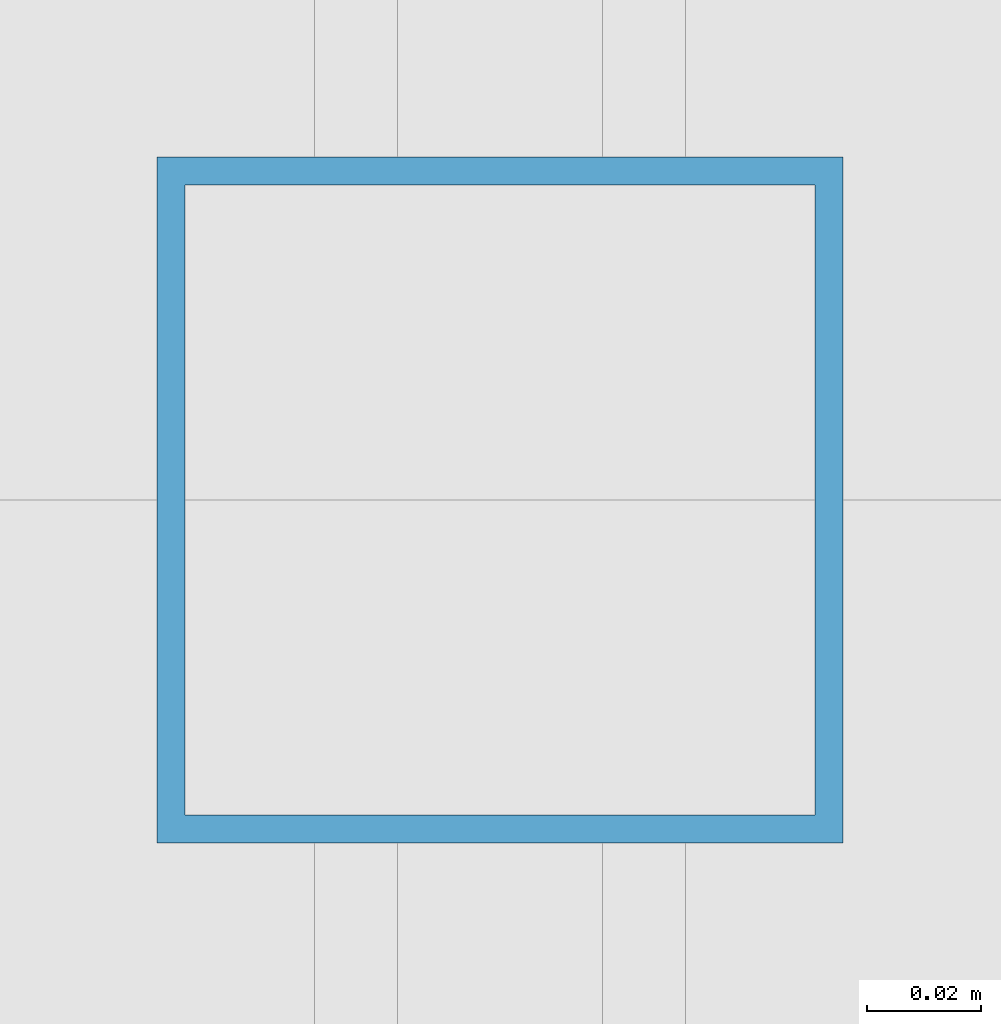
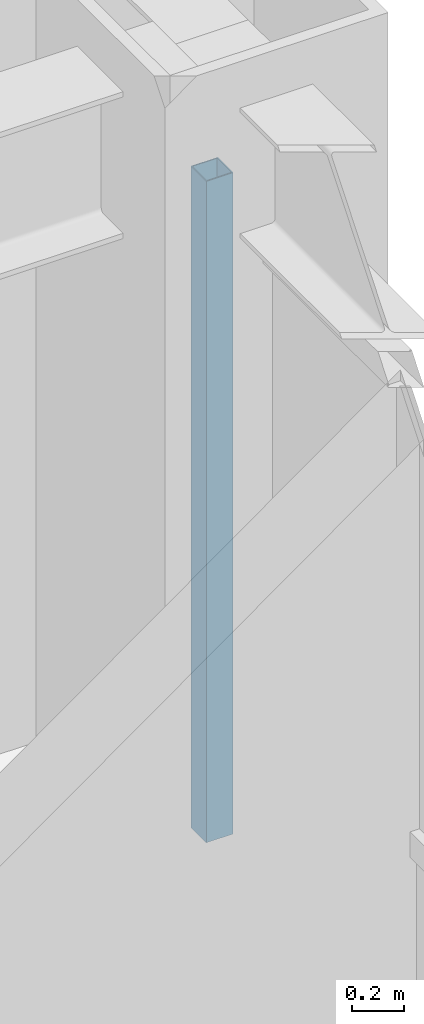
# One storey, part 10 of 29: 1 member, 1 element without a shape of its own.
"""IFC4 building model written with IfcOpenShell, lengths in metres."""

from ifc_helpers import new_model, si_unit, direction, frame, origin, origin_2d, place, context, subcontext, project, spatial, hollow_rectangle, extrude, source, transform, mapped, material, material_profile, profile_set, type_object, element, aggregate, save


model = new_model("IFC4")

# Units and contexts
model_context = context("Model", 3, precision=1e-05, world=origin(), true_north=direction((0.0, 1.0)))
body_context = subcontext(model_context, "Body", "Model", "MODEL_VIEW")
ifc_project = project(units=[si_unit("LENGTHUNIT", "METRE"), si_unit("AREAUNIT", "SQUARE_METRE"), si_unit("VOLUMEUNIT", "CUBIC_METRE"), si_unit("PLANEANGLEUNIT", "RADIAN"), si_unit("MASSUNIT", "GRAM", prefix="KILO")], contexts=[model_context])

# Site, building, storey
site_placement = place(None, origin())
site = spatial("IfcSite", under=ifc_project, at=site_placement, CompositionType="ELEMENT")
building_placement = place(site_placement, origin())
building = spatial("IfcBuilding", under=site, at=building_placement, Name="Khorayat Bourse Tower", CompositionType="ELEMENT")
storey_placement = place(building_placement, frame((0.0, 0.0, 243.10009765625)))
storey = spatial("IfcBuildingStorey", under=building, at=storey_placement, Name="L57", CompositionType="ELEMENT", Elevation=243.10009765625)

# Curtain wall, member
ifc_material = material(Name="Aluminium EN AW-6063 T6", Category="aluminium")
curtain_wall_type = type_object("IfcCurtainWallType", Name="CW-SYS-03", PredefinedType="NOTDEFINED", material=ifc_material)
curtain_wall_placement = place(storey_placement, origin())
curtain_wall = element("IfcCurtainWall", 1, at=curtain_wall_placement, inside=storey, type_object=curtain_wall_type, Name="L57 Curtain Wall CW-L57-E1", PredefinedType="NOTDEFINED")
ifc_material_profile = material_profile(ifc_material, hollow_rectangle(XDim=0.1201171875, YDim=0.1201171875, WallThickness=0.0048828125, at=origin_2d()), Name="ALU 120x120x5")
ifc_profile_set = profile_set([ifc_material_profile], Name="Aluminium EN AW-6063 T6")
member_type = type_object("IfcMemberType", Name="CWM-VERT-120", PredefinedType="MULLION", material=ifc_profile_set)
shared_shape = source(origin(), body_context, "Body", "SweptSolid", [
    extrude(hollow_rectangle(XDim=0.1201171875, YDim=0.1201171875, WallThickness=0.0048828125, at=origin_2d()), origin(), (0.0, 0.0, 1.0), 3.1298828125),
])
member_placement = place(storey_placement, frame((30.0, 0.0, 0.0), z_axis=(0.0, 0.0, 1.0), x_axis=(-1.0, 0.0, 0.0)))
member = element("IfcMember", 2, at=member_placement, type_object=member_type, Name="CW-L57-E1 Vertical Mullion 2", PredefinedType="MULLION", context=body_context, shape_type="MappedRepresentation", body=[
    mapped(shared_shape, transform((0.0, 0.0, 0.0), scale=1.0)),
])
aggregate(curtain_wall, [member])

save(model, "model.ifc")
